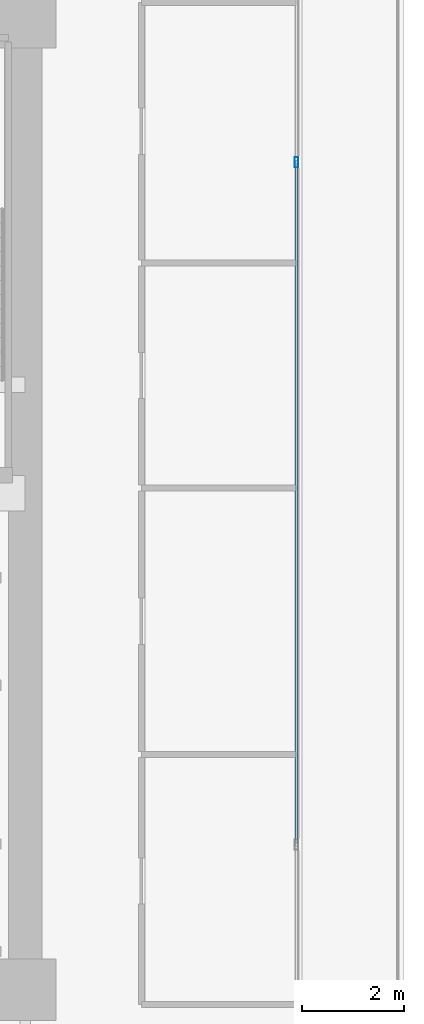
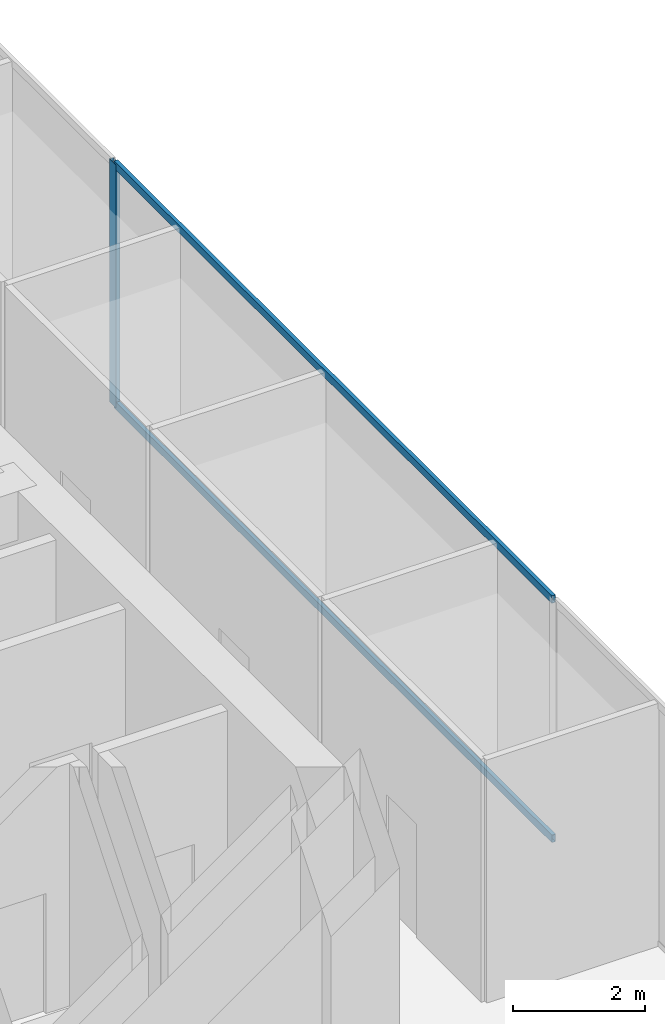
# One storey, part 22 of 33: 3 members, 1 element without a shape of its own.
"""IFC4 building model written with IfcOpenShell, lengths in metres."""

from ifc_helpers import new_model, si_unit, direction, frame, origin, origin_2d, place, context, subcontext, project, spatial, hollow_rectangle, extrude, source, transform, mapped, material, layer, layer_set, material_profile, profile_set, type_object, type_shapes, element, aggregate, save


model = new_model("IFC4")

# Units and contexts
model_context = context("Model", 3, precision=1e-05, world=origin(), true_north=direction((0.0, 1.0)))
body_context = subcontext(model_context, "Body", "Model", "MODEL_VIEW")
ifc_project = project(units=[si_unit("LENGTHUNIT", "METRE"), si_unit("AREAUNIT", "SQUARE_METRE"), si_unit("VOLUMEUNIT", "CUBIC_METRE"), si_unit("PLANEANGLEUNIT", "RADIAN"), si_unit("MASSUNIT", "GRAM", prefix="KILO")], contexts=[model_context])

# Site, building, storey
site_placement = place(None, origin())
site = spatial("IfcSite", under=ifc_project, at=site_placement, CompositionType="ELEMENT")
building_placement = place(site_placement, origin())
building = spatial("IfcBuilding", under=site, at=building_placement, Name="Haelvirn Gate Laboratories", CompositionType="ELEMENT")
storey_placement = place(building_placement, frame((0.0, 0.0, 100.300048828125)))
storey = spatial("IfcBuildingStorey", under=building, at=storey_placement, Name="L24", CompositionType="ELEMENT", Elevation=100.300048828125)

# Curtain wall, members
ifc_material_1 = material(Name="Anodised bronze unitised aluminium & triple low-E glass", Category="aluminium")
ifc_layer = layer(ifc_material_1, 0.179931640625, Name="CW-SYS-3")
ifc_layer_set = layer_set([ifc_layer], Name="Anodised bronze unitised aluminium & triple low-E glass")
curtain_wall_type = type_object("IfcCurtainWallType", Name="CW-SYS-3", PredefinedType="NOTDEFINED", material=ifc_layer_set)
curtain_wall_placement = place(storey_placement, origin())
curtain_wall = element("IfcCurtainWall", 1, at=curtain_wall_placement, inside=storey, type_object=curtain_wall_type, Name="L24 Unitised Curtain Wall CW-L24-P0-E07", PredefinedType="NOTDEFINED")
ifc_material_2 = material(Name="Extruded aluminium 6063-T6 (anodised bronze)", Category="aluminium")
ifc_material_profile_1 = material_profile(ifc_material_2, hollow_rectangle(XDim=0.074951171875, YDim=0.199951171875, WallThickness=0.0048828125, at=origin_2d()), Name="CWM-200x75x5")
ifc_profile_set_1 = profile_set([ifc_material_profile_1], Name="Extruded aluminium 6063-T6 (anodised bronze)")
member_type_1 = type_object("IfcMemberType", Name="CWM-T200", PredefinedType="MULLION", material=ifc_profile_set_1)
shared_shape_1 = source(origin(), body_context, "Body", "SweptSolid", [
    extrude(hollow_rectangle(XDim=0.074951171875, YDim=0.199951171875, WallThickness=0.0048828125, at=origin_2d()), origin(), (0.0, 0.0, 1.0), 4.489990234375),
])
type_shapes(member_type_1, [shared_shape_1])
member_1_placement = place(storey_placement, frame((72.699951171875, 30.966552734375, 0.0), z_axis=(0.0, 0.0, 1.0), x_axis=(-1.0, 0.0, 0.0)))
member_1 = element("IfcMember", 2, at=member_1_placement, type_object=member_type_1, Name="CW3 mullion 3", PredefinedType="MULLION", context=body_context, shape_type="MappedRepresentation", body=[
    mapped(shared_shape_1, transform((0.0, 0.0, 0.0), scale=1.0)),
])
ifc_material_profile_2 = material_profile(ifc_material_2, hollow_rectangle(XDim=0.06494140625, YDim=0.139892578125, WallThickness=0.00390625, at=origin_2d()), Name="CWT-140x65x4")
ifc_profile_set_2 = profile_set([ifc_material_profile_2], Name="Extruded aluminium 6063-T6 (anodised bronze)")
member_type_2 = type_object("IfcMemberType", Name="CWT-T140", PredefinedType="USERDEFINED", material=ifc_profile_set_2)
shared_shape_2 = source(origin(), body_context, "Body", "SweptSolid", [
    extrude(hollow_rectangle(XDim=0.06494140625, YDim=0.139892578125, WallThickness=0.00390625, at=origin_2d()), origin(), (0.0, 0.0, 1.0), 13.25830078125),
])
type_shapes(member_type_2, [shared_shape_2])
member_2_placement = place(storey_placement, frame((72.699951171875, 17.6708984375, 0.032470703125), z_axis=(0.0, 1.0, 0.0), x_axis=(-1.0, 0.0, 0.0)))
member_2 = element("IfcMember", 3, at=member_2_placement, type_object=member_type_2, Name="CW3 transom 2.1", ObjectType="TRANSOM", PredefinedType="USERDEFINED", context=body_context, shape_type="MappedRepresentation", body=[
    mapped(shared_shape_2, transform((0.0, 0.0, 0.0), scale=1.0)),
])
member_3_placement = place(storey_placement, frame((72.699951171875, 17.6708984375, 4.45751953125), z_axis=(0.0, 1.0, 0.0), x_axis=(-1.0, 0.0, 0.0)))
member_3 = element("IfcMember", 4, at=member_3_placement, type_object=member_type_2, Name="CW3 transom 2.2", ObjectType="TRANSOM", PredefinedType="USERDEFINED", context=body_context, shape_type="MappedRepresentation", body=[
    mapped(shared_shape_2, transform((0.0, 0.0, 0.0), scale=1.0)),
])
aggregate(curtain_wall, [member_1, member_2, member_3])

save(model, "model.ifc")
